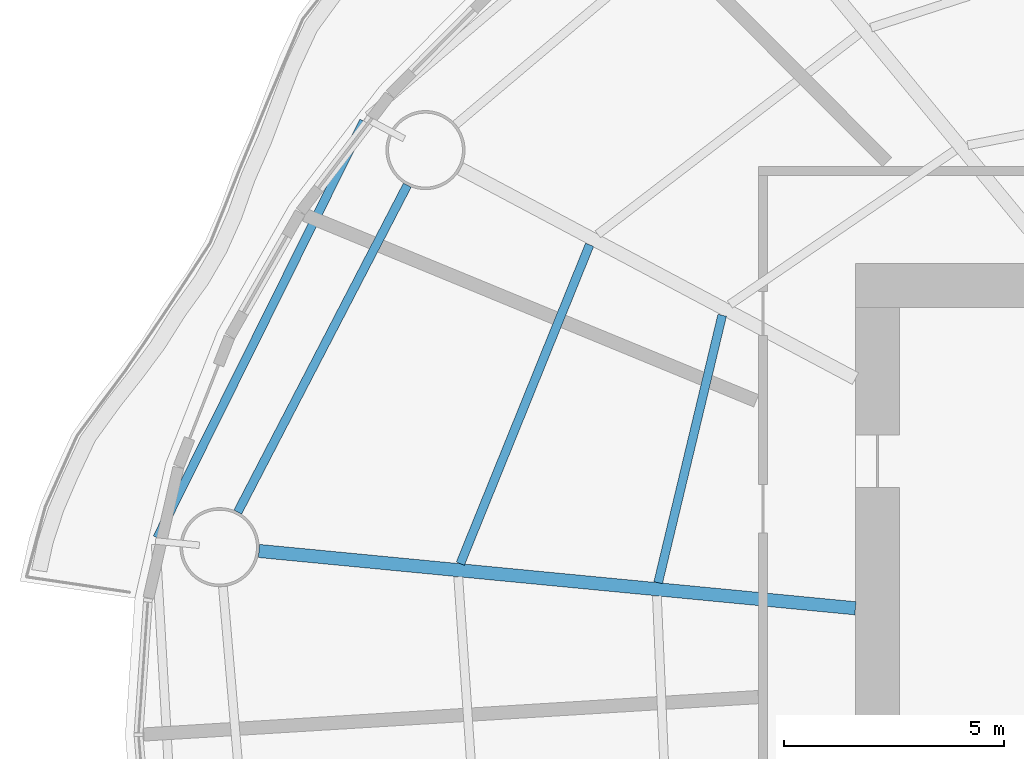
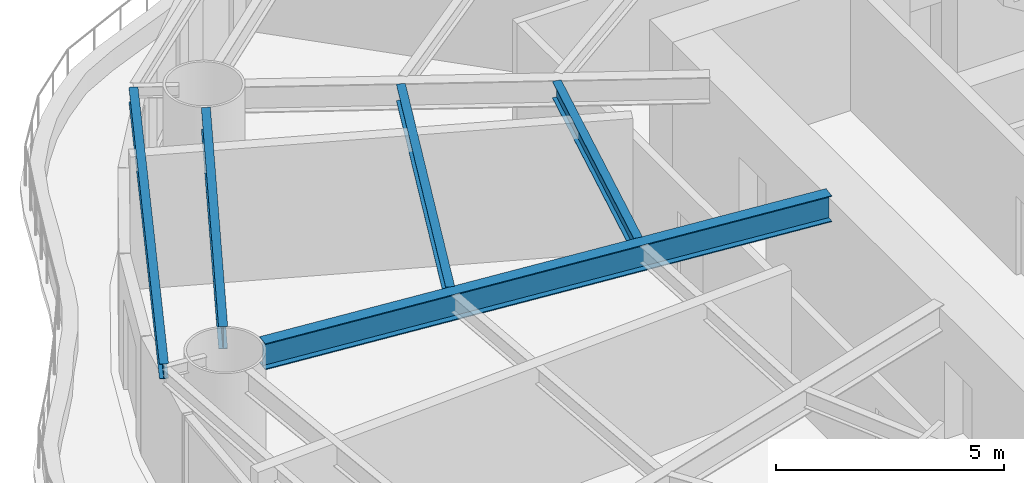
# One storey, part 3 of 16: 5 beams.
"""IFC4 building model written with IfcOpenShell, lengths in metres."""

from ifc_helpers import new_model, si_unit, direction, frame, origin, origin_2d, place, context, subcontext, project, spatial, i_section, extrude, material, material_profile, profile_set, type_object, element, save


model = new_model("IFC4")

# Units and contexts
model_context = context("Model", 3, precision=1e-05, world=origin(), true_north=direction((0.0, 1.0)))
body_context = subcontext(model_context, "Body", "Model", "MODEL_VIEW")
ifc_project = project(units=[si_unit("LENGTHUNIT", "METRE"), si_unit("AREAUNIT", "SQUARE_METRE"), si_unit("VOLUMEUNIT", "CUBIC_METRE"), si_unit("PLANEANGLEUNIT", "RADIAN"), si_unit("MASSUNIT", "GRAM", prefix="KILO")], contexts=[model_context])

# Site, building, storey
site_placement = place(None, origin())
site = spatial("IfcSite", under=ifc_project, at=site_placement, CompositionType="ELEMENT")
building_placement = place(site_placement, origin())
building = spatial("IfcBuilding", under=site, at=building_placement, Name="Vermilion Reach Broadcast Tower", CompositionType="ELEMENT")
storey_placement = place(building_placement, frame((0.0, 0.0, 73.0)))
storey = spatial("IfcBuildingStorey", under=building, at=storey_placement, Name="L15", CompositionType="ELEMENT", Elevation=73.0)

# Beams
ifc_material_1 = material(Name="Steel S355J2", Category="steel")
ifc_material_profile_1 = material_profile(ifc_material_1, i_section(OverallWidth=0.199951171875, OverallDepth=0.39990234375, WebThickness=0.008056640625, FlangeThickness=0.012939453125, at=origin_2d()), Name="S355J2 HN 400x200x8x13")
ifc_profile_set_1 = profile_set([ifc_material_profile_1], Name="Steel S355J2")
beam_type_1 = type_object("IfcBeamType", Name="EB1 HN 400x200x8x13", PredefinedType="BEAM", material=ifc_profile_set_1)
beam_1_placement = place(storey_placement, frame((-29.181396484375, 12.235595703125, 3.35009765625), z_axis=(-0.444359815945, -0.89584839899, 0.0), x_axis=(0.89584839899, -0.444359815945, 0.0)))
element("IfcBeam", 1, at=beam_1_placement, inside=storey, type_object=beam_type_1, Name="Edge beam EB1-07", PredefinedType="BEAM", context=body_context, shape_type="SweptSolid", body=[
    extrude(i_section(OverallWidth=0.199951171875, OverallDepth=0.39990234375, WebThickness=0.008056640625, FlangeThickness=0.012939453125, at=origin_2d()), origin(), (0.0, 0.0, 1.0), 10.58251953125),
])
ifc_material_2 = material(Name="Steel S355J2", Category="steel")
ifc_material_profile_2 = material_profile(ifc_material_2, i_section(OverallWidth=0.300048828125, OverallDepth=0.699951171875, WebThickness=0.012939453125, FlangeThickness=0.02392578125, at=origin_2d()), Name="S355J2 HN 700x300x13x24")
ifc_profile_set_2 = profile_set([ifc_material_profile_2], Name="Steel S355J2")
beam_type_2 = type_object("IfcBeamType", Name="G1 HN 700x300x13x24", PredefinedType="BEAM", material=ifc_profile_set_2)
beam_2_placement = place(storey_placement, frame((-18.0, 1.1533203125, 3.199951171875), z_axis=(-0.995412178872, 0.095679643363, 0.0), x_axis=(-0.095679643363, -0.995412178872, 0.0)))
element("IfcBeam", 2, at=beam_2_placement, inside=storey, type_object=beam_type_2, Name="Girder G1-08", PredefinedType="BEAM", context=body_context, shape_type="SweptSolid", body=[
    extrude(i_section(OverallWidth=0.300048828125, OverallDepth=0.699951171875, WebThickness=0.012939453125, FlangeThickness=0.02392578125, at=origin_2d()), origin(), (0.0, 0.0, 1.0), 13.630859375),
])
ifc_material_3 = material(Name="Steel S355J2", Category="steel")
ifc_material_profile_3 = material_profile(ifc_material_3, i_section(OverallWidth=0.199951171875, OverallDepth=0.60009765625, WebThickness=0.010986328125, FlangeThickness=0.01708984375, at=origin_2d()), Name="S355J2 HN 600x200x11x17")
ifc_profile_set_3 = profile_set([ifc_material_profile_3], Name="Steel S355J2")
beam_type_3 = type_object("IfcBeamType", Name="RB1 HN 600x200x11x17", PredefinedType="BEAM", material=ifc_profile_set_3)
beam_3_placement = place(storey_placement, frame((-28.194091796875, 10.776611328125, 3.25), z_axis=(-0.460411617218, -0.887705549566, 0.0), x_axis=(0.887705549566, -0.460411617218, 0.0)))
element("IfcBeam", 3, at=beam_3_placement, inside=storey, type_object=beam_type_3, Name="Ring beam RB1-07", PredefinedType="BEAM", context=body_context, shape_type="SweptSolid", body=[
    extrude(i_section(OverallWidth=0.199951171875, OverallDepth=0.60009765625, WebThickness=0.010986328125, FlangeThickness=0.01708984375, at=origin_2d()), origin(), (0.0, 0.0, 1.0), 8.37451171875),
])
ifc_material_4 = material(Name="Steel S355J2", Category="steel")
ifc_material_profile_4 = material_profile(ifc_material_4, i_section(OverallWidth=0.199951171875, OverallDepth=0.449951171875, WebThickness=0.009033203125, FlangeThickness=0.013916015625, at=origin_2d()), Name="S355J2 HN 450x200x9x14")
ifc_profile_set_4 = profile_set([ifc_material_profile_4], Name="Steel S355J2")
beam_type_4 = type_object("IfcBeamType", Name="SB1 HN 450x200x9x14", PredefinedType="BEAM", material=ifc_profile_set_4)
beam_4_placement = place(storey_placement, frame((-21.031005859375, 7.81884765625, 3.324951171875), z_axis=(-0.232844467589, -0.972513986487, 0.0), x_axis=(0.972513986487, -0.232844467589, 0.0)))
element("IfcBeam", 4, at=beam_4_placement, inside=storey, type_object=beam_type_4, Name="Secondary beam SB1-07-1", PredefinedType="BEAM", context=body_context, shape_type="SweptSolid", body=[
    extrude(i_section(OverallWidth=0.199951171875, OverallDepth=0.449951171875, WebThickness=0.009033203125, FlangeThickness=0.013916015625, at=origin_2d()), origin(), (0.0, 0.0, 1.0), 6.25537109375),
])
beam_5_placement = place(storey_placement, frame((-24.046630859375, 9.421630859375, 3.324951171875), z_axis=(-0.375640669938, -0.926765389453, 0.0), x_axis=(0.926765389453, -0.375640669938, 0.0)))
element("IfcBeam", 5, at=beam_5_placement, inside=storey, type_object=beam_type_4, Name="Secondary beam SB1-07-2", PredefinedType="BEAM", context=body_context, shape_type="SweptSolid", body=[
    extrude(i_section(OverallWidth=0.199951171875, OverallDepth=0.449951171875, WebThickness=0.009033203125, FlangeThickness=0.013916015625, at=origin_2d()), origin(), (0.0, 0.0, 1.0), 7.8271484375),
])

save(model, "model.ifc")
